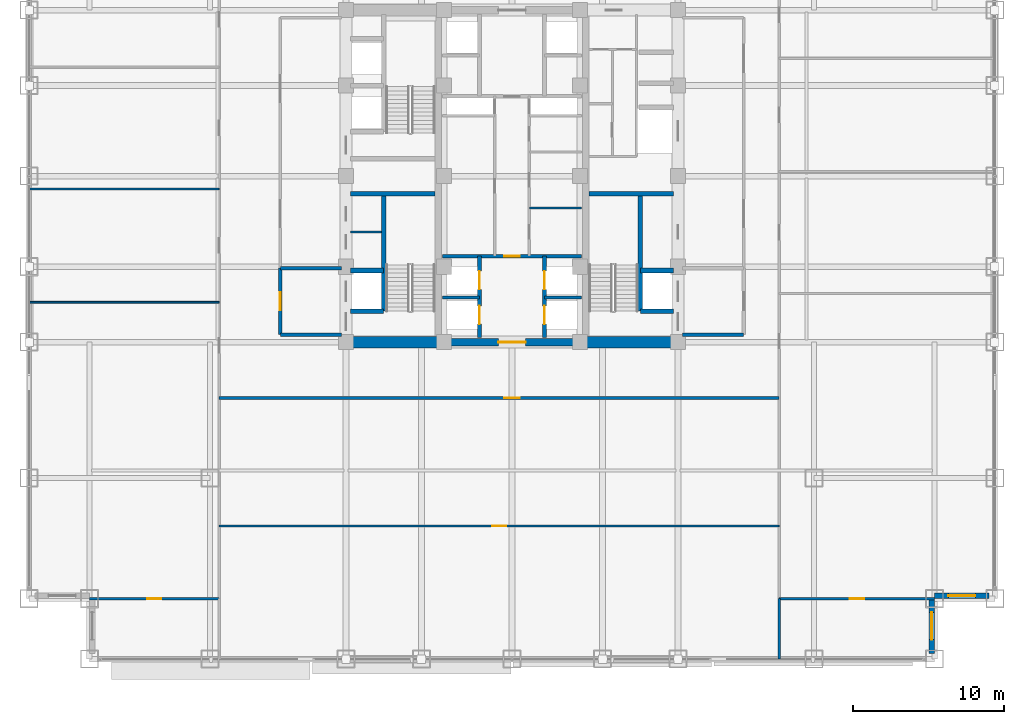
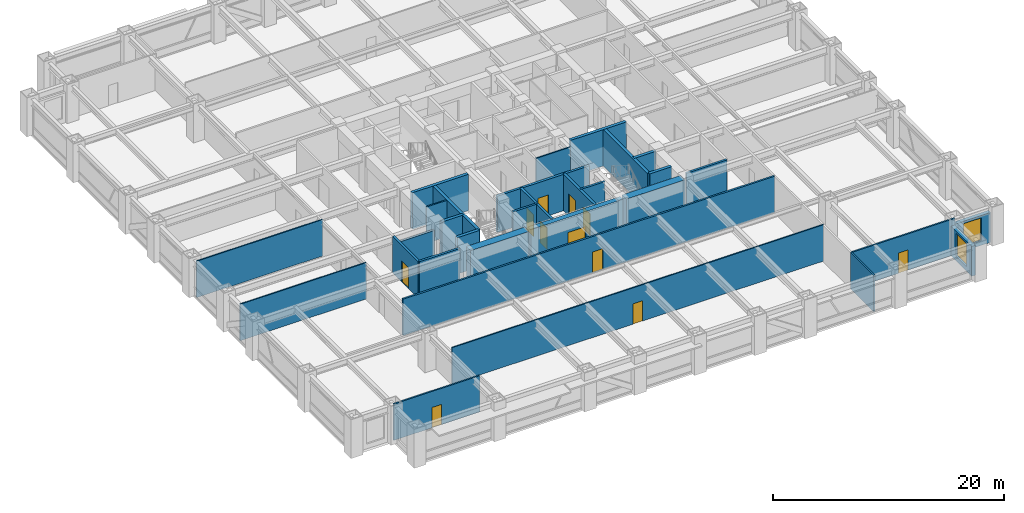
# One storey, part 23 of 32: 31 walls, 11 doors, 2 windows, 13 openings.
"""IFC4 building model written with IfcOpenShell, lengths in metres."""

from ifc_helpers import new_model, si_unit, direction, frame, frame_2d, origin, place, context, subcontext, project, spatial, rectangle, extrude, source, transform, mapped, material, layer, layer_set, type_object, element, fill, save


model = new_model("IFC4")

# Units and contexts
model_context = context("Model", 3, precision=1e-05, world=origin(), true_north=direction((0.0, 1.0)))
body_context = subcontext(model_context, "Body", "Model", "MODEL_VIEW")
ifc_project = project(units=[si_unit("LENGTHUNIT", "METRE"), si_unit("AREAUNIT", "SQUARE_METRE"), si_unit("VOLUMEUNIT", "CUBIC_METRE"), si_unit("PLANEANGLEUNIT", "RADIAN"), si_unit("MASSUNIT", "GRAM", prefix="KILO")], contexts=[model_context])

# Site, building, storey
site_placement = place(None, origin())
site = spatial("IfcSite", under=ifc_project, at=site_placement, CompositionType="ELEMENT")
building_placement = place(site_placement, origin())
building = spatial("IfcBuilding", under=site, at=building_placement, Name="Khorayat Bourse Tower", CompositionType="ELEMENT")
storey_placement = place(building_placement, frame((0.0, 0.0, 99.60009765625)))
storey = spatial("IfcBuildingStorey", under=building, at=storey_placement, Name="L22", CompositionType="ELEMENT", Elevation=99.60009765625)

# Walls
ifc_material_1 = material(Name="Concrete C72/90", Category="concrete")
ifc_layer_1 = layer(ifc_material_1, 0.75)
ifc_layer_set_1 = layer_set([ifc_layer_1], Name="Concrete C72/90")
wall_type_1 = type_object("IfcWallType", Name="WAL-CORE-750", PredefinedType="SHEAR", material=ifc_layer_set_1)
shared_shape_1 = source(origin(), body_context, "Body", "SweptSolid", [
    extrude(rectangle(XDim=5.849853515625, YDim=0.75, at=frame_2d((2.9248046875, 0.0))), origin(), (0.0, 0.0, 1.0), 3.83984375),
])
for number, where, z_axis, x_axis, name in (
    (1, (-10.699951171875, -11.0, 0.0), (0.0, 0.0, 1.0), (1.0, 0.0, 0.0), "L22 Core Shear Wall PIER-WS"),
    (2, (4.85009765625, -11.0, 0.0), (0.0, 0.0, 1.0), (1.0, 0.0, 0.0), "L22 Core Shear Wall PIER-ES"),
):
    element("IfcWall", number, at=place(storey_placement, frame(where, z_axis=z_axis, x_axis=x_axis)), inside=storey, type_object=wall_type_1, Name=name, PredefinedType="SHEAR", context=body_context, shape_type="MappedRepresentation", body=[
        mapped(shared_shape_1, transform((0.0, 0.0, 0.0), scale=1.0)),
    ])
ifc_material_2 = material(Name="Concrete C50/60", Category="concrete")
ifc_layer_2 = layer(ifc_material_2, 0.300048828125)
ifc_layer_set_2 = layer_set([ifc_layer_2], Name="Concrete C50/60")
wall_type_2 = type_object("IfcWallType", Name="WAL-SHAFT-300", PredefinedType="SHEAR", material=ifc_layer_set_2)
shared_shape_2 = source(origin(), body_context, "Body", "SweptSolid", [
    extrude(rectangle(XDim=5.599853515625, YDim=0.300048828125, at=frame_2d((2.7998046875, 0.0))), origin(), (0.0, 0.0, 1.0), 3.83984375),
])
for number, where, z_axis, x_axis, name in (
    (3, (-10.699951171875, -1.14990234375, 0.0), (0.0, 0.0, 1.0), (1.0, 0.0, 0.0), "L22 Core Shear Wall ST1-DIV"),
    (4, (5.10009765625, -1.14990234375, 0.0), (0.0, 0.0, 1.0), (1.0, 0.0, 0.0), "L22 Core Shear Wall ST3-DIV"),
):
    element("IfcWall", number, at=place(storey_placement, frame(where, z_axis=z_axis, x_axis=x_axis)), inside=storey, type_object=wall_type_2, Name=name, PredefinedType="SHEAR", context=body_context, shape_type="MappedRepresentation", body=[
        mapped(shared_shape_2, transform((0.0, 0.0, 0.0), scale=1.0)),
    ])

# Wall, opening, door
ifc_material_3 = material(Name="Concrete C52/65", Category="concrete")
ifc_layer_3 = layer(ifc_material_3, 0.5)
ifc_layer_set_3 = layer_set([ifc_layer_3], Name="Concrete C52/65")
wall_type_3 = type_object("IfcWallType", Name="WAL-CORE-500", PredefinedType="SHEAR", material=ifc_layer_set_3)
shared_shape_3 = source(origin(), body_context, "Body", "SweptSolid", [
    extrude(rectangle(XDim=9.2001953125, YDim=0.5, at=frame_2d((4.60009765625, 0.0))), origin(), (0.0, 0.0, 1.0), 3.83984375),
])
wall_1_placement = place(storey_placement, frame((-4.60009765625, -11.0, 0.0), z_axis=(0.0, 0.0, 1.0), x_axis=(1.0, 0.0, 0.0)))
wall_1 = element("IfcWall", 5, at=wall_1_placement, inside=storey, type_object=wall_type_3, Name="L22 Core Shear Wall CORE-S", PredefinedType="SHEAR", context=body_context, shape_type="MappedRepresentation", body=[
    mapped(shared_shape_3, transform((0.0, 0.0, 0.0), scale=1.0)),
])
shared_shape_4 = source(origin(), body_context, "Body", "SweptSolid", [
    extrude(rectangle(XDim=1.800048828125, YDim=2.25, at=frame_2d((0.89990234375, 1.125))), frame((0.0, 0.260009765625, 0.0), z_axis=(0.0, -1.0, 0.0), x_axis=(1.0, 0.0, 0.0)), (0.0, 0.0, 1.0), 0.52001953125),
])
opening_1_placement = place(wall_1_placement, frame((3.699951171875, 0.0, 0.0)))
opening_1 = element("IfcOpeningElement", 6, at=opening_1_placement, cuts=wall_1, Name="Opening DI-03", PredefinedType="OPENING", context=body_context, shape_type="MappedRepresentation", body=[
    mapped(shared_shape_4, transform((0.0, 0.0, 0.0), scale=1.0)),
])
ifc_material_4 = material(Name="Fire-rated hardwood vision-panel double leaf", Category="wood")
door_type_1 = type_object("IfcDoorType", Name="DR-INT-CORR-1800", OperationType="NOTDEFINED", PredefinedType="DOOR", material=ifc_material_4)
shared_shape_5 = source(origin(), body_context, "Body", "SweptSolid", [
    extrude(rectangle(XDim=1.800048828125, YDim=2.25, at=frame_2d((0.89990234375, 1.125))), frame((0.0, 0.02490234375, 0.0), z_axis=(0.0, -1.0, 0.0), x_axis=(1.0, 0.0, 0.0)), (0.0, 0.0, 1.0), 0.050048828125),
])
door_1_placement = place(opening_1_placement, origin())
door_1 = element("IfcDoor", 7, at=door_1_placement, inside=storey, type_object=door_type_1, Name="L22 Low-Rise Lift Lobby Door", OperationType="SINGLE_SWING_LEFT", OverallHeight=2.25, OverallWidth=1.800048828125, PredefinedType="DOOR", context=body_context, shape_type="MappedRepresentation", body=[
    mapped(shared_shape_5, transform((0.0, 0.0, 0.0), scale=1.0)),
])
fill(opening_1, door_1)

# Wall, opening, window
ifc_material_5 = material(Name="Precast concrete C45/55", Category="concrete")
ifc_layer_4 = layer(ifc_material_5, 0.3798828125)
ifc_layer_set_4 = layer_set([ifc_layer_4], Name="Precast concrete C45/55")
wall_type_4 = type_object("IfcWallType", Name="WAL-EXT-STONE-380", PredefinedType="STANDARD", material=ifc_layer_set_4)
shared_shape_6 = source(origin(), body_context, "Body", "SweptSolid", [
    extrude(rectangle(XDim=3.6201171875, YDim=0.3798828125, at=frame_2d((1.81005859375, 0.0))), origin(), (0.0, 0.0, 1.0), 3.14501953125),
])
wall_2_placement = place(storey_placement, frame((27.81005859375, -31.6201171875, 0.0), z_axis=(0.0, 0.0, 1.0), x_axis=(0.0, 1.0, 0.0)))
wall_2 = element("IfcWall", 8, at=wall_2_placement, inside=storey, type_object=wall_type_4, Name="L22 Re-Entrant Notch Limestone Wall SE-V", PredefinedType="STANDARD", context=body_context, shape_type="MappedRepresentation", body=[
    mapped(shared_shape_6, transform((0.0, 0.0, 0.0), scale=1.0)),
])
shared_shape_7 = source(origin(), body_context, "Body", "SweptSolid", [
    extrude(rectangle(XDim=1.800048828125, YDim=2.39990234375, at=frame_2d((0.89990234375, 1.199951171875))), frame((0.0, 0.199951171875, 0.0), z_axis=(0.0, -1.0, 0.0), x_axis=(1.0, 0.0, 0.0)), (0.0, 0.0, 1.0), 0.39990234375),
])
opening_2_placement = place(wall_2_placement, frame((0.909912109375, 0.0, 0.5)))
opening_2 = element("IfcOpeningElement", 9, at=opening_2_placement, cuts=wall_2, Name="Opening WN-04", PredefinedType="OPENING", context=body_context, shape_type="MappedRepresentation", body=[
    mapped(shared_shape_7, transform((0.0, 0.0, 0.0), scale=1.0)),
])
ifc_material_6 = material(Name="Low-E acoustic laminated double glazing", Category="glass")
window_type = type_object("IfcWindowType", Name="WIN-NOTCH-1800x2400", PartitioningType="SINGLE_PANEL", PredefinedType="WINDOW", material=ifc_material_6)
shared_shape_8 = source(origin(), body_context, "Body", "SweptSolid", [
    extrude(rectangle(XDim=1.800048828125, YDim=2.39990234375, at=frame_2d((0.89990234375, 1.199951171875))), frame((0.0, 0.030029296875, 0.0), z_axis=(0.0, -1.0, 0.0), x_axis=(1.0, 0.0, 0.0)), (0.0, 0.0, 1.0), 0.06005859375),
])
window_1_placement = place(opening_2_placement, origin())
window_1 = element("IfcWindow", 10, at=window_1_placement, inside=storey, type_object=window_type, Name="L22 Facade Window 1", OverallHeight=2.39990234375, OverallWidth=1.800048828125, PartitioningType="SINGLE_PANEL", PredefinedType="WINDOW", context=body_context, shape_type="MappedRepresentation", body=[
    mapped(shared_shape_8, transform((0.0, 0.0, 0.0), scale=1.0)),
])
fill(opening_2, window_1)

wall_3_placement = place(storey_placement, frame((28.0, -27.81005859375, 0.0), z_axis=(0.0, 0.0, 1.0), x_axis=(1.0, 0.0, 0.0)))
wall_3 = element("IfcWall", 11, at=wall_3_placement, inside=storey, type_object=wall_type_4, Name="L22 Re-Entrant Notch Limestone Wall SE-H", PredefinedType="STANDARD", context=body_context, shape_type="MappedRepresentation", body=[
    mapped(shared_shape_6, transform((0.0, 0.0, 0.0), scale=1.0)),
])
opening_3_placement = place(wall_3_placement, frame((0.909912109375, 0.0, 0.5)))
opening_3 = element("IfcOpeningElement", 12, at=opening_3_placement, cuts=wall_3, Name="Opening WN-04", PredefinedType="OPENING", context=body_context, shape_type="MappedRepresentation", body=[
    mapped(shared_shape_7, transform((0.0, 0.0, 0.0), scale=1.0)),
])
window_2_placement = place(opening_3_placement, origin())
window_2 = element("IfcWindow", 13, at=window_2_placement, inside=storey, type_object=window_type, Name="L22 Facade Window 1", OverallHeight=2.39990234375, OverallWidth=1.800048828125, PartitioningType="SINGLE_PANEL", PredefinedType="WINDOW", context=body_context, shape_type="MappedRepresentation", body=[
    mapped(shared_shape_8, transform((0.0, 0.0, 0.0), scale=1.0)),
])
fill(opening_3, window_2)

# Walls
ifc_material_7 = material(Name="Aerated concrete blockwork", Category="masonry")
ifc_layer_5 = layer(ifc_material_7, 0.219970703125)
ifc_layer_set_5 = layer_set([ifc_layer_5], Name="Aerated concrete blockwork")
wall_type_5 = type_object("IfcWallType", Name="WAL-PART-FF-220", PredefinedType="PARTITIONING", material=ifc_layer_set_5)
shared_shape_9 = source(origin(), body_context, "Body", "SweptSolid", [
    extrude(rectangle(XDim=4.050048828125, YDim=0.219970703125, at=frame_2d((2.02490234375, 0.0))), origin(), (0.0, 0.0, 1.0), 3.06689453125),
])
wall_4_placement = place(storey_placement, frame((-15.35009765625, -6.10009765625, 0.0), z_axis=(0.0, 0.0, 1.0), x_axis=(1.0, 0.0, 0.0)))
element("IfcWall", 14, at=wall_4_placement, inside=storey, type_object=wall_type_5, Name="L22 Partition WAL-L22-FFLW-N", PredefinedType="PARTITIONING", context=body_context, shape_type="MappedRepresentation", body=[
    mapped(shared_shape_9, transform((0.0, 0.0, 0.0), scale=1.0)),
])
shared_shape_10 = source(origin(), body_context, "Body", "SweptSolid", [
    extrude(rectangle(XDim=7.800048828125, YDim=0.300048828125, at=frame_2d((3.89990234375, 0.0))), origin(), (0.0, 0.0, 1.0), 3.83984375),
])
for number, where, z_axis, x_axis, name in (
    (15, (-8.5, -8.949951171875, 0.0), (0.0, 0.0, 1.0), (0.0, 1.0, 0.0), "L22 Partition WAL-L22-WPIER-SP"),
    (16, (8.5, -8.949951171875, 0.0), (0.0, 0.0, 1.0), (0.0, 1.0, 0.0), "L22 Partition WAL-L22-EPIER-SP"),
):
    element("IfcWall", number, at=place(storey_placement, frame(where, z_axis=z_axis, x_axis=x_axis)), inside=storey, type_object=wall_type_2, Name=name, PredefinedType="SHEAR", context=body_context, shape_type="MappedRepresentation", body=[
        mapped(shared_shape_10, transform((0.0, 0.0, 0.0), scale=1.0)),
    ])
shared_shape_11 = source(origin(), body_context, "Body", "SweptSolid", [
    extrude(rectangle(XDim=2.199951171875, YDim=0.300048828125, at=frame_2d((1.10009765625, 0.0))), origin(), (0.0, 0.0, 1.0), 3.83984375),
])
for number, where, z_axis, x_axis, name in (
    (17, (-10.699951171875, -8.949951171875, 0.0), (0.0, 0.0, 1.0), (1.0, 0.0, 0.0), "L22 Partition WAL-L22-WPIER-FF1S"),
    (18, (-10.699951171875, -6.25, 0.0), (0.0, 0.0, 1.0), (1.0, 0.0, 0.0), "L22 Partition WAL-L22-WPIER-FF1N"),
    (19, (8.5, -8.949951171875, 0.0), (0.0, 0.0, 1.0), (1.0, 0.0, 0.0), "L22 Partition WAL-L22-EPIER-FF2S"),
    (20, (8.5, -6.25, 0.0), (0.0, 0.0, 1.0), (1.0, 0.0, 0.0), "L22 Partition WAL-L22-EPIER-FF2N"),
):
    element("IfcWall", number, at=place(storey_placement, frame(where, z_axis=z_axis, x_axis=x_axis)), inside=storey, type_object=wall_type_2, Name=name, PredefinedType="SHEAR", context=body_context, shape_type="MappedRepresentation", body=[
        mapped(shared_shape_11, transform((0.0, 0.0, 0.0), scale=1.0)),
    ])
ifc_material_8 = material(Name="Gypsum plasterboard twin-frame partition")
ifc_layer_6 = layer(ifc_material_8, 0.14990234375)
ifc_layer_set_6 = layer_set([ifc_layer_6], Name="Gypsum plasterboard twin-frame partition")
wall_type_6 = type_object("IfcWallType", Name="WAL-PART-SUITE-150", PredefinedType="PARTITIONING", material=ifc_layer_set_6)
shared_shape_12 = source(origin(), body_context, "Body", "SweptSolid", [
    extrude(rectangle(XDim=2.050048828125, YDim=0.14990234375, at=frame_2d((1.02490234375, 0.0))), origin(), (0.0, 0.0, 1.0), 3.83984375),
])
wall_5_placement = place(storey_placement, frame((-10.699951171875, -3.699951171875, 0.0), z_axis=(0.0, 0.0, 1.0), x_axis=(1.0, 0.0, 0.0)))
element("IfcWall", 21, at=wall_5_placement, inside=storey, type_object=wall_type_6, Name="L22 Partition WAL-L22-WSRV-D1", PredefinedType="PARTITIONING", context=body_context, shape_type="MappedRepresentation", body=[
    mapped(shared_shape_12, transform((0.0, 0.0, 0.0), scale=1.0)),
])
shared_shape_13 = source(origin(), body_context, "Body", "SweptSolid", [
    extrude(rectangle(XDim=4.050048828125, YDim=0.219970703125, at=frame_2d((2.02490234375, 0.0))), origin(), (0.0, 0.0, 1.0), 3.83984375),
])
for number, where, z_axis, x_axis, name in (
    (22, (-15.35009765625, -10.5, 0.0), (0.0, 0.0, 1.0), (1.0, 0.0, 0.0), "L22 Partition WAL-L22-FFLW-S"),
    (23, (11.300048828125, -10.5, 0.0), (0.0, 0.0, 1.0), (1.0, 0.0, 0.0), "L22 Partition WAL-L22-FFLE-S"),
):
    element("IfcWall", number, at=place(storey_placement, frame(where, z_axis=z_axis, x_axis=x_axis)), inside=storey, type_object=wall_type_5, Name=name, PredefinedType="PARTITIONING", context=body_context, shape_type="MappedRepresentation", body=[
        mapped(shared_shape_13, transform((0.0, 0.0, 0.0), scale=1.0)),
    ])

# Wall, opening, door
shared_shape_14 = source(origin(), body_context, "Body", "SweptSolid", [
    extrude(rectangle(XDim=4.39990234375, YDim=0.219970703125, at=frame_2d((2.199951171875, 0.0))), origin(), (0.0, 0.0, 1.0), 3.83984375),
])
wall_6_placement = place(storey_placement, frame((-15.35009765625, -10.5, 0.0), z_axis=(0.0, 0.0, 1.0), x_axis=(0.0, 1.0, 0.0)))
wall_6 = element("IfcWall", 24, at=wall_6_placement, inside=storey, type_object=wall_type_5, Name="L22 Partition WAL-L22-FFLW-W", PredefinedType="PARTITIONING", context=body_context, shape_type="MappedRepresentation", body=[
    mapped(shared_shape_14, transform((0.0, 0.0, 0.0), scale=1.0)),
])
shared_shape_15 = source(origin(), body_context, "Body", "SweptSolid", [
    extrude(rectangle(XDim=1.199951171875, YDim=2.199951171875, at=frame_2d((0.60009765625, 1.10009765625))), frame((0.0, 0.119873046875, 0.0), z_axis=(0.0, -1.0, 0.0), x_axis=(1.0, 0.0, 0.0)), (0.0, 0.0, 1.0), 0.239990234375),
])
opening_4_placement = place(wall_6_placement, frame((1.60009765625, 0.0, 0.0)))
opening_4 = element("IfcOpeningElement", 25, at=opening_4_placement, cuts=wall_6, Name="Opening DI-02", PredefinedType="OPENING", context=body_context, shape_type="MappedRepresentation", body=[
    mapped(shared_shape_15, transform((0.0, 0.0, 0.0), scale=1.0)),
])
ifc_material_9 = material(Name="Fire-rated steel double-seal leaf", Category="steel")
door_type_2 = type_object("IfcDoorType", Name="DR-INT-FFLOBBY-1200", OperationType="NOTDEFINED", PredefinedType="DOOR", material=ifc_material_9)
shared_shape_16 = source(origin(), body_context, "Body", "SweptSolid", [
    extrude(rectangle(XDim=1.199951171875, YDim=2.199951171875, at=frame_2d((0.60009765625, 1.10009765625))), frame((0.0, 0.02490234375, 0.0), z_axis=(0.0, -1.0, 0.0), x_axis=(1.0, 0.0, 0.0)), (0.0, 0.0, 1.0), 0.050048828125),
])
door_2_placement = place(opening_4_placement, origin())
door_2 = element("IfcDoor", 26, at=door_2_placement, inside=storey, type_object=door_type_2, Name="L22 West Firefighting Lobby Door", OperationType="SINGLE_SWING_LEFT", OverallHeight=2.199951171875, OverallWidth=1.199951171875, PredefinedType="DOOR", context=body_context, shape_type="MappedRepresentation", body=[
    mapped(shared_shape_16, transform((0.0, 0.0, 0.0), scale=1.0)),
])
fill(opening_4, door_2)

# Wall, openings, doors
shared_shape_17 = source(origin(), body_context, "Body", "SweptSolid", [
    extrude(rectangle(XDim=5.39990234375, YDim=0.25, at=frame_2d((2.699951171875, 0.0))), origin(), (0.0, 0.0, 1.0), 3.83984375),
])
wall_7_placement = place(storey_placement, frame((-2.14990234375, -10.699951171875, 0.0), z_axis=(0.0, 0.0, 1.0), x_axis=(0.0, 1.0, 0.0)))
wall_7 = element("IfcWall", 27, at=wall_7_placement, inside=storey, type_object=wall_type_2, Name="L22 Partition WAL-L22-B1-W", PredefinedType="SHEAR", context=body_context, shape_type="MappedRepresentation", body=[
    mapped(shared_shape_17, transform((0.0, 0.0, 0.0), scale=1.0)),
])
shared_shape_18 = source(origin(), body_context, "Body", "SweptSolid", [
    extrude(rectangle(XDim=1.199951171875, YDim=2.300048828125, at=frame_2d((0.60009765625, 1.14990234375))), frame((0.0, 0.135009765625, 0.0), z_axis=(0.0, -1.0, 0.0), x_axis=(1.0, 0.0, 0.0)), (0.0, 0.0, 1.0), 0.27001953125),
])
opening_5_placement = place(wall_7_placement, frame((0.89990234375, 0.0, 0.0)))
opening_5 = element("IfcOpeningElement", 28, at=opening_5_placement, cuts=wall_7, Name="Opening LD-01", PredefinedType="OPENING", context=body_context, shape_type="MappedRepresentation", body=[
    mapped(shared_shape_18, transform((0.0, 0.0, 0.0), scale=1.0)),
])
opening_6_placement = place(wall_7_placement, frame((3.199951171875, 0.0, 0.0)))
opening_6 = element("IfcOpeningElement", 29, at=opening_6_placement, cuts=wall_7, Name="Opening LD-01", PredefinedType="OPENING", context=body_context, shape_type="MappedRepresentation", body=[
    mapped(shared_shape_18, transform((0.0, 0.0, 0.0), scale=1.0)),
])
ifc_material_10 = material(Name="Brushed bronze stainless-steel sliding door", Category="steel")
door_type_3 = type_object("IfcDoorType", Name="DR-LIFT-PASS-1200", OperationType="NOTDEFINED", PredefinedType="DOOR", material=ifc_material_10)
shared_shape_19 = source(origin(), body_context, "Body", "SweptSolid", [
    extrude(rectangle(XDim=1.199951171875, YDim=2.300048828125, at=frame_2d((0.60009765625, 1.14990234375))), frame((0.0, 0.02490234375, 0.0), z_axis=(0.0, -1.0, 0.0), x_axis=(1.0, 0.0, 0.0)), (0.0, 0.0, 1.0), 0.050048828125),
])
door_3_placement = place(opening_5_placement, origin())
door_3 = element("IfcDoor", 30, at=door_3_placement, inside=storey, type_object=door_type_3, Name="L22 Lift PL-L1 Sliding Landing Door", OperationType="SLIDING_TO_LEFT", OverallHeight=2.300048828125, OverallWidth=1.199951171875, PredefinedType="DOOR", context=body_context, shape_type="MappedRepresentation", body=[
    mapped(shared_shape_19, transform((0.0, 0.0, 0.0), scale=1.0)),
])
fill(opening_5, door_3)
door_4_placement = place(opening_6_placement, origin())
door_4 = element("IfcDoor", 31, at=door_4_placement, inside=storey, type_object=door_type_3, Name="L22 Lift PL-L3 Sliding Landing Door", OperationType="SLIDING_TO_LEFT", OverallHeight=2.300048828125, OverallWidth=1.199951171875, PredefinedType="DOOR", context=body_context, shape_type="MappedRepresentation", body=[
    mapped(shared_shape_19, transform((0.0, 0.0, 0.0), scale=1.0)),
])
fill(opening_6, door_4)

wall_8_placement = place(storey_placement, frame((2.14990234375, -10.699951171875, 0.0), z_axis=(0.0, 0.0, 1.0), x_axis=(0.0, 1.0, 0.0)))
wall_8 = element("IfcWall", 32, at=wall_8_placement, inside=storey, type_object=wall_type_2, Name="L22 Partition WAL-L22-B1-E", PredefinedType="SHEAR", context=body_context, shape_type="MappedRepresentation", body=[
    mapped(shared_shape_17, transform((0.0, 0.0, 0.0), scale=1.0)),
])
opening_7_placement = place(wall_8_placement, frame((0.89990234375, 0.0, 0.0)))
opening_7 = element("IfcOpeningElement", 33, at=opening_7_placement, cuts=wall_8, Name="Opening LD-01", PredefinedType="OPENING", context=body_context, shape_type="MappedRepresentation", body=[
    mapped(shared_shape_18, transform((0.0, 0.0, 0.0), scale=1.0)),
])
opening_8_placement = place(wall_8_placement, frame((3.199951171875, 0.0, 0.0)))
opening_8 = element("IfcOpeningElement", 34, at=opening_8_placement, cuts=wall_8, Name="Opening LD-01", PredefinedType="OPENING", context=body_context, shape_type="MappedRepresentation", body=[
    mapped(shared_shape_18, transform((0.0, 0.0, 0.0), scale=1.0)),
])
door_5_placement = place(opening_7_placement, origin())
door_5 = element("IfcDoor", 35, at=door_5_placement, inside=storey, type_object=door_type_3, Name="L22 Lift PL-L2 Sliding Landing Door", OperationType="SLIDING_TO_LEFT", OverallHeight=2.300048828125, OverallWidth=1.199951171875, PredefinedType="DOOR", context=body_context, shape_type="MappedRepresentation", body=[
    mapped(shared_shape_19, transform((0.0, 0.0, 0.0), scale=1.0)),
])
fill(opening_7, door_5)
door_6_placement = place(opening_8_placement, origin())
door_6 = element("IfcDoor", 36, at=door_6_placement, inside=storey, type_object=door_type_3, Name="L22 Lift PL-L4 Sliding Landing Door", OperationType="SLIDING_TO_LEFT", OverallHeight=2.300048828125, OverallWidth=1.199951171875, PredefinedType="DOOR", context=body_context, shape_type="MappedRepresentation", body=[
    mapped(shared_shape_19, transform((0.0, 0.0, 0.0), scale=1.0)),
])
fill(opening_8, door_6)

# Walls
shared_shape_20 = source(origin(), body_context, "Body", "SweptSolid", [
    extrude(rectangle(XDim=2.4501953125, YDim=0.199951171875, at=frame_2d((1.22509765625, 0.0))), origin(), (0.0, 0.0, 1.0), 3.83984375),
])
for number, where, z_axis, x_axis, name in (
    (37, (-4.60009765625, -8.050048828125, 0.0), (0.0, 0.0, 1.0), (1.0, 0.0, 0.0), "L22 Partition WAL-L22-B1-MW"),
    (38, (2.14990234375, -8.050048828125, 0.0), (0.0, 0.0, 1.0), (1.0, 0.0, 0.0), "L22 Partition WAL-L22-B1-ME"),
):
    element("IfcWall", number, at=place(storey_placement, frame(where, z_axis=z_axis, x_axis=x_axis)), inside=storey, type_object=wall_type_2, Name=name, PredefinedType="SHEAR", context=body_context, shape_type="MappedRepresentation", body=[
        mapped(shared_shape_20, transform((0.0, 0.0, 0.0), scale=1.0)),
    ])

# Wall, opening, door
shared_shape_21 = source(origin(), body_context, "Body", "SweptSolid", [
    extrude(rectangle(XDim=9.2001953125, YDim=0.25, at=frame_2d((4.60009765625, 0.0))), origin(), (0.0, 0.0, 1.0), 3.83984375),
])
wall_9_placement = place(storey_placement, frame((-4.60009765625, -5.300048828125, 0.0), z_axis=(0.0, 0.0, 1.0), x_axis=(1.0, 0.0, 0.0)))
wall_9 = element("IfcWall", 39, at=wall_9_placement, inside=storey, type_object=wall_type_2, Name="L22 Partition WAL-L22-B1-N", PredefinedType="SHEAR", context=body_context, shape_type="MappedRepresentation", body=[
    mapped(shared_shape_21, transform((0.0, 0.0, 0.0), scale=1.0)),
])
shared_shape_22 = source(origin(), body_context, "Body", "SweptSolid", [
    extrude(rectangle(XDim=1.050048828125, YDim=2.199951171875, at=frame_2d((0.52490234375, 1.10009765625))), frame((0.0, 0.135009765625, 0.0), z_axis=(0.0, -1.0, 0.0), x_axis=(1.0, 0.0, 0.0)), (0.0, 0.0, 1.0), 0.27001953125),
])
opening_9_placement = place(wall_9_placement, frame((4.074951171875, 0.0, 0.0)))
opening_9 = element("IfcOpeningElement", 40, at=opening_9_placement, cuts=wall_9, Name="Opening DI-04", PredefinedType="OPENING", context=body_context, shape_type="MappedRepresentation", body=[
    mapped(shared_shape_22, transform((0.0, 0.0, 0.0), scale=1.0)),
])
ifc_material_11 = material(Name="Fire-rated oak veneer suite entrance door")
door_type_4 = type_object("IfcDoorType", Name="DR-INT-SUITE-1050", OperationType="NOTDEFINED", PredefinedType="DOOR", material=ifc_material_11)
shared_shape_23 = source(origin(), body_context, "Body", "SweptSolid", [
    extrude(rectangle(XDim=1.050048828125, YDim=2.199951171875, at=frame_2d((0.52490234375, 1.10009765625))), frame((0.0, 0.02490234375, 0.0), z_axis=(0.0, -1.0, 0.0), x_axis=(1.0, 0.0, 0.0)), (0.0, 0.0, 1.0), 0.050048828125),
])
door_7_placement = place(opening_9_placement, origin())
door_7 = element("IfcDoor", 41, at=door_7_placement, inside=storey, type_object=door_type_4, Name="L22 Core Spine South Door", OperationType="SINGLE_SWING_LEFT", OverallHeight=2.199951171875, OverallWidth=1.050048828125, PredefinedType="DOOR", context=body_context, shape_type="MappedRepresentation", body=[
    mapped(shared_shape_23, transform((0.0, 0.0, 0.0), scale=1.0)),
])
fill(opening_9, door_7)

# Wall
ifc_material_12 = material(Name="Moisture-resistant masonry partition", Category="masonry")
ifc_layer_7 = layer(ifc_material_12, 0.139892578125)
ifc_layer_set_7 = layer_set([ifc_layer_7], Name="Moisture-resistant masonry partition")
wall_type_7 = type_object("IfcWallType", Name="WAL-PART-WET-140", PredefinedType="PARTITIONING", material=ifc_layer_set_7)
shared_shape_24 = source(origin(), body_context, "Body", "SweptSolid", [
    extrude(rectangle(XDim=3.4501953125, YDim=0.139892578125, at=frame_2d((1.72509765625, 0.0))), origin(), (0.0, 0.0, 1.0), 3.83984375),
])
wall_10_placement = place(storey_placement, frame((1.14990234375, -2.10009765625, 0.0), z_axis=(0.0, 0.0, 1.0), x_axis=(1.0, 0.0, 0.0)))
element("IfcWall", 42, at=wall_10_placement, inside=storey, type_object=wall_type_7, Name="L22 Partition WAL-L22-CME-D1", PredefinedType="PARTITIONING", context=body_context, shape_type="MappedRepresentation", body=[
    mapped(shared_shape_24, transform((0.0, 0.0, 0.0), scale=1.0)),
])

# Wall, opening, door
ifc_material_13 = material(Name="Gypsum plasterboard partition")
ifc_layer_8 = layer(ifc_material_13, 0.125)
ifc_layer_set_8 = layer_set([ifc_layer_8], Name="Gypsum plasterboard partition")
wall_type_8 = type_object("IfcWallType", Name="WAL-PART-ROOM-125", PredefinedType="PARTITIONING", material=ifc_layer_set_8)
shared_shape_25 = source(origin(), body_context, "Body", "SweptSolid", [
    extrude(rectangle(XDim=37.099853515625, YDim=0.125, at=frame_2d((18.5498046875, 0.0))), origin(), (0.0, 0.0, 1.0), 3.83984375),
])
wall_11_placement = place(storey_placement, frame((-19.39990234375, -23.177001953125, 0.0), z_axis=(0.0, 0.0, 1.0), x_axis=(1.0, 0.0, 0.0)))
wall_11 = element("IfcWall", 43, at=wall_11_placement, inside=storey, type_object=wall_type_8, Name="L22 Partition WAL-L22-SDP-1", PredefinedType="PARTITIONING", context=body_context, shape_type="MappedRepresentation", body=[
    mapped(shared_shape_25, transform((0.0, 0.0, 0.0), scale=1.0)),
])
shared_shape_26 = source(origin(), body_context, "Body", "SweptSolid", [
    extrude(rectangle(XDim=0.949951171875, YDim=2.14990234375, at=frame_2d((0.47509765625, 1.074951171875))), frame((0.0, 0.072509765625, 0.0), z_axis=(0.0, -1.0, 0.0), x_axis=(1.0, 0.0, 0.0)), (0.0, 0.0, 1.0), 0.14501953125),
])
opening_10_placement = place(wall_11_placement, frame((18.074951171875, 0.0, 0.0)))
opening_10 = element("IfcOpeningElement", 44, at=opening_10_placement, cuts=wall_11, Name="Opening DI-05", PredefinedType="OPENING", context=body_context, shape_type="MappedRepresentation", body=[
    mapped(shared_shape_26, transform((0.0, 0.0, 0.0), scale=1.0)),
])
ifc_material_14 = material(Name="Acoustic oak veneer office door")
door_type_5 = type_object("IfcDoorType", Name="DR-INT-OFFICE-950", OperationType="NOTDEFINED", PredefinedType="DOOR", material=ifc_material_14)
shared_shape_27 = source(origin(), body_context, "Body", "SweptSolid", [
    extrude(rectangle(XDim=0.949951171875, YDim=2.14990234375, at=frame_2d((0.47509765625, 1.074951171875))), frame((0.0, 0.02490234375, 0.0), z_axis=(0.0, -1.0, 0.0), x_axis=(1.0, 0.0, 0.0)), (0.0, 0.0, 1.0), 0.050048828125),
])
door_8_placement = place(opening_10_placement, origin())
door_8 = element("IfcDoor", 45, at=door_8_placement, inside=storey, type_object=door_type_5, Name="L22 Members Club Room S1B Door", OperationType="SINGLE_SWING_RIGHT", OverallHeight=2.14990234375, OverallWidth=0.949951171875, PredefinedType="DOOR", context=body_context, shape_type="MappedRepresentation", body=[
    mapped(shared_shape_27, transform((0.0, 0.0, 0.0), scale=1.0)),
])
fill(opening_10, door_8)

ifc_material_15 = material(Name="Gypsum plasterboard acoustic stud wall")
ifc_layer_9 = layer(ifc_material_15, 0.179931640625)
ifc_layer_set_9 = layer_set([ifc_layer_9], Name="Gypsum plasterboard acoustic stud wall")
wall_type_9 = type_object("IfcWallType", Name="WAL-PART-CORR-180", PredefinedType="PARTITIONING", material=ifc_layer_set_9)
shared_shape_28 = source(origin(), body_context, "Body", "SweptSolid", [
    extrude(rectangle(XDim=37.099853515625, YDim=0.179931640625, at=frame_2d((18.5498046875, 0.0))), origin(), (0.0, 0.0, 1.0), 3.83984375),
])
wall_12_placement = place(storey_placement, frame((-19.39990234375, -14.699951171875, 0.0), z_axis=(0.0, 0.0, 1.0), x_axis=(1.0, 0.0, 0.0)))
wall_12 = element("IfcWall", 46, at=wall_12_placement, inside=storey, type_object=wall_type_9, Name="L22 Partition WAL-L22-SCORR", PredefinedType="PARTITIONING", context=body_context, shape_type="MappedRepresentation", body=[
    mapped(shared_shape_28, transform((0.0, 0.0, 0.0), scale=1.0)),
])
shared_shape_29 = source(origin(), body_context, "Body", "SweptSolid", [
    extrude(rectangle(XDim=1.050048828125, YDim=2.199951171875, at=frame_2d((0.52490234375, 1.10009765625))), frame((0.0, 0.099853515625, 0.0), z_axis=(0.0, -1.0, 0.0), x_axis=(1.0, 0.0, 0.0)), (0.0, 0.0, 1.0), 0.199951171875),
])
opening_11_placement = place(wall_12_placement, frame((18.875, 0.0, 0.0)))
opening_11 = element("IfcOpeningElement", 47, at=opening_11_placement, cuts=wall_12, Name="Opening DI-04", PredefinedType="OPENING", context=body_context, shape_type="MappedRepresentation", body=[
    mapped(shared_shape_29, transform((0.0, 0.0, 0.0), scale=1.0)),
])
door_9_placement = place(opening_11_placement, origin())
door_9 = element("IfcDoor", 48, at=door_9_placement, inside=storey, type_object=door_type_4, Name="L22 Market Reference Library S1 Door", OperationType="SINGLE_SWING_RIGHT", OverallHeight=2.199951171875, OverallWidth=1.050048828125, PredefinedType="DOOR", context=body_context, shape_type="MappedRepresentation", body=[
    mapped(shared_shape_23, transform((0.0, 0.0, 0.0), scale=1.0)),
])
fill(opening_11, door_9)

# Walls
shared_shape_30 = source(origin(), body_context, "Body", "SweptSolid", [
    extrude(rectangle(XDim=4.0, YDim=0.14990234375, at=frame_2d((2.0, 0.0))), origin(), (0.0, 0.0, 1.0), 3.83984375),
])
wall_13_placement = place(storey_placement, frame((17.699951171875, -32.0, 0.0), z_axis=(0.0, 0.0, 1.0), x_axis=(0.0, 1.0, 0.0)))
element("IfcWall", 49, at=wall_13_placement, inside=storey, type_object=wall_type_6, Name="L22 Partition WAL-L22-SCE-END", PredefinedType="PARTITIONING", context=body_context, shape_type="MappedRepresentation", body=[
    mapped(shared_shape_30, transform((0.0, 0.0, 0.0), scale=1.0)),
])
shared_shape_31 = source(origin(), body_context, "Body", "SweptSolid", [
    extrude(rectangle(XDim=12.60009765625, YDim=0.125, at=frame_2d((6.300048828125, 0.0))), origin(), (0.0, 0.0, 1.0), 3.83984375),
])
for number, where, z_axis, x_axis, name in (
    (50, (-32.0, -8.35302734375, 0.0), (0.0, 0.0, 1.0), (1.0, 0.0, 0.0), "L22 Partition WAL-L22-WDV-1"),
    (51, (-32.0, -0.85205078125, 0.0), (0.0, 0.0, 1.0), (1.0, 0.0, 0.0), "L22 Partition WAL-L22-WDV-2"),
):
    element("IfcWall", number, at=place(storey_placement, frame(where, z_axis=z_axis, x_axis=x_axis)), inside=storey, type_object=wall_type_8, Name=name, PredefinedType="PARTITIONING", context=body_context, shape_type="MappedRepresentation", body=[
        mapped(shared_shape_31, transform((0.0, 0.0, 0.0), scale=1.0)),
    ])

# Wall, opening, door
shared_shape_32 = source(origin(), body_context, "Body", "SweptSolid", [
    extrude(rectangle(XDim=8.60009765625, YDim=0.14990234375, at=frame_2d((4.300048828125, 0.0))), origin(), (0.0, 0.0, 1.0), 3.83984375),
])
wall_14_placement = place(storey_placement, frame((-28.0, -28.0, 0.0), z_axis=(0.0, 0.0, 1.0), x_axis=(1.0, 0.0, 0.0)))
wall_14 = element("IfcWall", 52, at=wall_14_placement, inside=storey, type_object=wall_type_6, Name="L22 Partition WAL-L22-CSW", PredefinedType="PARTITIONING", context=body_context, shape_type="MappedRepresentation", body=[
    mapped(shared_shape_32, transform((0.0, 0.0, 0.0), scale=1.0)),
])
shared_shape_33 = source(origin(), body_context, "Body", "SweptSolid", [
    extrude(rectangle(XDim=0.949951171875, YDim=2.14990234375, at=frame_2d((0.47509765625, 1.074951171875))), frame((0.0, 0.0849609375, 0.0), z_axis=(0.0, -1.0, 0.0), x_axis=(1.0, 0.0, 0.0)), (0.0, 0.0, 1.0), 0.169921875),
])
opening_12_placement = place(wall_14_placement, frame((3.824951171875, 0.0, 0.0)))
opening_12 = element("IfcOpeningElement", 53, at=opening_12_placement, cuts=wall_14, Name="Opening DI-05", PredefinedType="OPENING", context=body_context, shape_type="MappedRepresentation", body=[
    mapped(shared_shape_33, transform((0.0, 0.0, 0.0), scale=1.0)),
])
door_10_placement = place(opening_12_placement, origin())
door_10 = element("IfcDoor", 54, at=door_10_placement, inside=storey, type_object=door_type_5, Name="L22 South-West Corner Office Door", OperationType="SINGLE_SWING_LEFT", OverallHeight=2.14990234375, OverallWidth=0.949951171875, PredefinedType="DOOR", context=body_context, shape_type="MappedRepresentation", body=[
    mapped(shared_shape_27, transform((0.0, 0.0, 0.0), scale=1.0)),
])
fill(opening_12, door_10)

shared_shape_34 = source(origin(), body_context, "Body", "SweptSolid", [
    extrude(rectangle(XDim=10.300048828125, YDim=0.14990234375, at=frame_2d((5.14990234375, 0.0))), origin(), (0.0, 0.0, 1.0), 3.83984375),
])
wall_15_placement = place(storey_placement, frame((17.699951171875, -28.0, 0.0), z_axis=(0.0, 0.0, 1.0), x_axis=(1.0, 0.0, 0.0)))
wall_15 = element("IfcWall", 55, at=wall_15_placement, inside=storey, type_object=wall_type_6, Name="L22 Partition WAL-L22-CSE", PredefinedType="PARTITIONING", context=body_context, shape_type="MappedRepresentation", body=[
    mapped(shared_shape_34, transform((0.0, 0.0, 0.0), scale=1.0)),
])
opening_13_placement = place(wall_15_placement, frame((4.675048828125, 0.0, 0.0)))
opening_13 = element("IfcOpeningElement", 56, at=opening_13_placement, cuts=wall_15, Name="Opening DI-05", PredefinedType="OPENING", context=body_context, shape_type="MappedRepresentation", body=[
    mapped(shared_shape_33, transform((0.0, 0.0, 0.0), scale=1.0)),
])
door_11_placement = place(opening_13_placement, origin())
door_11 = element("IfcDoor", 57, at=door_11_placement, inside=storey, type_object=door_type_5, Name="L22 South-East Corner Briefing Room Door", OperationType="SINGLE_SWING_LEFT", OverallHeight=2.14990234375, OverallWidth=0.949951171875, PredefinedType="DOOR", context=body_context, shape_type="MappedRepresentation", body=[
    mapped(shared_shape_27, transform((0.0, 0.0, 0.0), scale=1.0)),
])
fill(opening_13, door_11)

save(model, "model.ifc")
